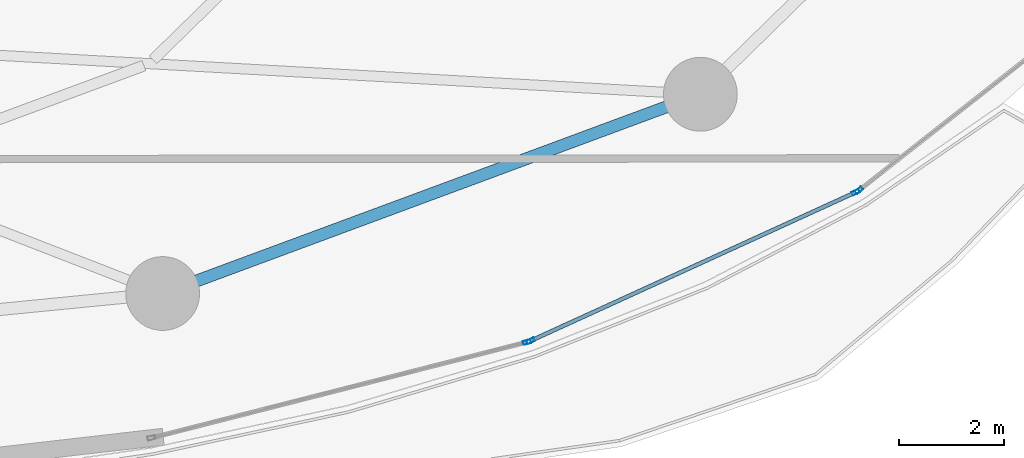
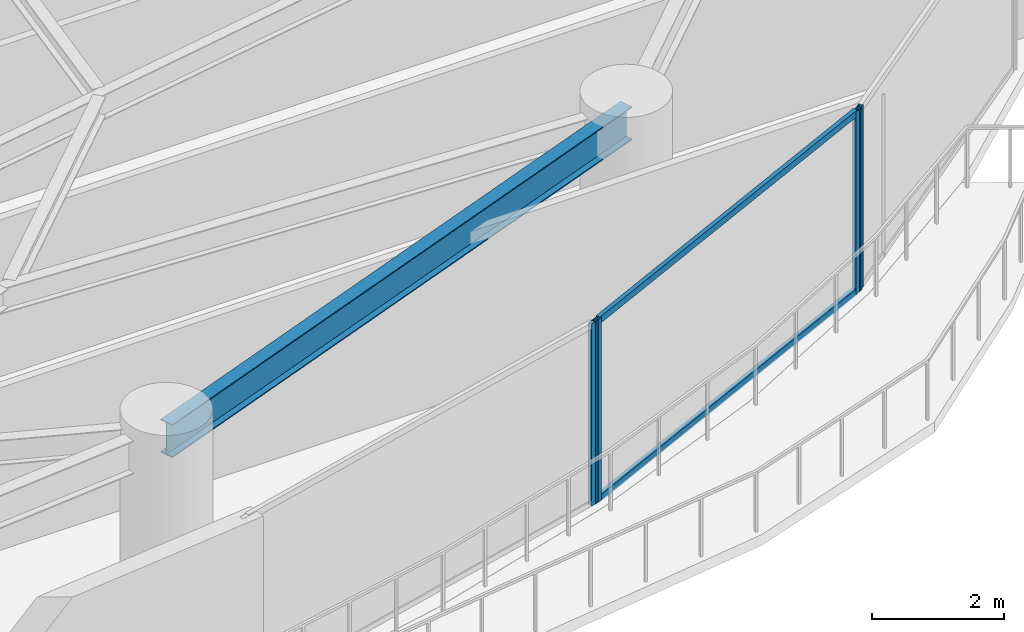
# One storey, part 13 of 33: 6 members, 1 beam, 3 elements without a shape of their own.
"""IFC4 building model written with IfcOpenShell, lengths in metres."""

from ifc_helpers import new_model, si_unit, direction, frame, origin, origin_2d, place, context, subcontext, project, spatial, hollow_rectangle, i_section, extrude, material, layer, layer_set, material_profile, profile_set, type_object, element, aggregate, save


model = new_model("IFC4")

# Units and contexts
model_context = context("Model", 3, precision=1e-05, world=origin(), true_north=direction((0.0, 1.0)))
body_context = subcontext(model_context, "Body", "Model", "MODEL_VIEW")
ifc_project = project(units=[si_unit("LENGTHUNIT", "METRE"), si_unit("AREAUNIT", "SQUARE_METRE"), si_unit("VOLUMEUNIT", "CUBIC_METRE"), si_unit("PLANEANGLEUNIT", "RADIAN"), si_unit("MASSUNIT", "GRAM", prefix="KILO")], contexts=[model_context])

# Site, building, storey
site_placement = place(None, origin())
site = spatial("IfcSite", under=ifc_project, at=site_placement, CompositionType="ELEMENT")
building_placement = place(site_placement, origin())
building = spatial("IfcBuilding", under=site, at=building_placement, Name="Kazevale Care Tower and Concert Hall", CompositionType="ELEMENT")
storey_placement = place(building_placement, frame((0.0, 0.0, 52.800048828125)))
storey = spatial("IfcBuildingStorey", under=building, at=storey_placement, Name="L13", CompositionType="ELEMENT", Elevation=52.800048828125)

# Curtain wall, member
ifc_material_1 = material(Name="Aluminium 6063-T6 and Low-E Glass", Category="aluminium")
ifc_layer = layer(ifc_material_1, 0.179931640625)
ifc_layer_set = layer_set([ifc_layer], Name="Aluminium 6063-T6 and Low-E Glass")
curtain_wall_type = type_object("IfcCurtainWallType", Name="Sheltered Concave Balcony Curtain Wall CW-5", PredefinedType="NOTDEFINED", material=ifc_layer_set)
curtain_wall_1_placement = place(storey_placement, origin())
curtain_wall_1 = element("IfcCurtainWall", 1, at=curtain_wall_1_placement, inside=storey, type_object=curtain_wall_type, Name="cw:L13:f02", PredefinedType="NOTDEFINED")
ifc_material_2 = material(Name="Aluminium 6063-T6", Category="aluminium")
ifc_material_profile_1 = material_profile(ifc_material_2, hollow_rectangle(XDim=0.074951171875, YDim=0.14990234375, WallThickness=0.00390625, at=origin_2d()), Name="ALU75x150x4")
ifc_profile_set_1 = profile_set([ifc_material_profile_1], Name="Aluminium 6063-T6")
member_type_1 = type_object("IfcMemberType", Name="CW-5 Mullion ALU75x150x4", PredefinedType="MULLION", material=ifc_profile_set_1)
member_1_placement = place(storey_placement, frame((70.25146484375, 20.490234375, 0.0), z_axis=(0.0, 0.0, 1.0), x_axis=(0.617807548814, -0.78632934107, 0.0)))
member_1 = element("IfcMember", 2, at=member_1_placement, type_object=member_type_1, Name="CW-5 mullion 2", PredefinedType="MULLION", context=body_context, shape_type="SweptSolid", body=[
    extrude(hollow_rectangle(XDim=0.074951171875, YDim=0.14990234375, WallThickness=0.00390625, at=origin_2d()), origin(), (0.0, 0.0, 1.0), 3.35986328125),
])
aggregate(curtain_wall_1, [member_1])

# Curtain wall, members
curtain_wall_2_placement = place(storey_placement, origin())
curtain_wall_2 = element("IfcCurtainWall", 3, at=curtain_wall_2_placement, inside=storey, type_object=curtain_wall_type, Name="cw:L13:f03", PredefinedType="NOTDEFINED")
member_2_placement = place(storey_placement, frame((70.18798828125, 20.451416015625, 0.0), z_axis=(0.0, 0.0, 1.0), x_axis=(0.415659767773, -0.909520179795, 0.0)))
member_2 = element("IfcMember", 4, at=member_2_placement, type_object=member_type_1, Name="CW-5 mullion 1", PredefinedType="MULLION", context=body_context, shape_type="SweptSolid", body=[
    extrude(hollow_rectangle(XDim=0.074951171875, YDim=0.14990234375, WallThickness=0.00390625, at=origin_2d()), origin(), (0.0, 0.0, 1.0), 3.35986328125),
])
member_3_placement = place(storey_placement, frame((64.022216796875, 17.633544921875, 0.0), z_axis=(0.0, 0.0, 1.0), x_axis=(0.415659767773, -0.909520179795, 0.0)))
member_3 = element("IfcMember", 5, at=member_3_placement, type_object=member_type_1, Name="CW-5 mullion 2", PredefinedType="MULLION", context=body_context, shape_type="SweptSolid", body=[
    extrude(hollow_rectangle(XDim=0.074951171875, YDim=0.14990234375, WallThickness=0.00390625, at=origin_2d()), origin(), (0.0, 0.0, 1.0), 3.35986328125),
])

# Curtain wall, member
curtain_wall_3_placement = place(storey_placement, origin())
curtain_wall_3 = element("IfcCurtainWall", 6, at=curtain_wall_3_placement, inside=storey, type_object=curtain_wall_type, Name="cw:L13:f04", PredefinedType="NOTDEFINED")
member_4_placement = place(storey_placement, frame((63.95166015625, 17.608642578125, 0.0), z_axis=(0.0, 0.0, 1.0), x_axis=(0.247221864936, -0.968958899798, 0.0)))
member_4 = element("IfcMember", 7, at=member_4_placement, type_object=member_type_1, Name="CW-5 mullion 1", PredefinedType="MULLION", context=body_context, shape_type="SweptSolid", body=[
    extrude(hollow_rectangle(XDim=0.074951171875, YDim=0.14990234375, WallThickness=0.00390625, at=origin_2d()), origin(), (0.0, 0.0, 1.0), 3.35986328125),
])
aggregate(curtain_wall_3, [member_4])

# Member
ifc_material_profile_2 = material_profile(ifc_material_2, hollow_rectangle(XDim=0.074951171875, YDim=0.1201171875, WallThickness=0.00390625, at=origin_2d()), Name="ALU75x120x4")
ifc_profile_set_2 = profile_set([ifc_material_profile_2], Name="Aluminium 6063-T6")
member_type_2 = type_object("IfcMemberType", Name="CW-5 Transom ALU75x120x4", PredefinedType="USERDEFINED", material=ifc_profile_set_2)
member_5_placement = place(storey_placement, frame((70.15380859375, 20.435791015625, 0.037353515625), z_axis=(-0.909524040017, -0.415651320978, 0.0), x_axis=(0.415651320978, -0.909524040017, 0.0)))
member_5 = element("IfcMember", 8, at=member_5_placement, type_object=member_type_2, Name="CW-5 transom 1.1", ObjectType="TRANSOM", PredefinedType="USERDEFINED", context=body_context, shape_type="SweptSolid", body=[
    extrude(hollow_rectangle(XDim=0.074951171875, YDim=0.1201171875, WallThickness=0.00390625, at=origin_2d()), origin(), (0.0, 0.0, 1.0), 6.704345703125),
])

member_6_placement = place(storey_placement, frame((70.15380859375, 20.435791015625, 3.322509765625), z_axis=(-0.909524040017, -0.415651320978, 0.0), x_axis=(0.415651320978, -0.909524040017, 0.0)))
member_6 = element("IfcMember", 9, at=member_6_placement, type_object=member_type_2, Name="CW-5 transom 1.2", ObjectType="TRANSOM", PredefinedType="USERDEFINED", context=body_context, shape_type="SweptSolid", body=[
    extrude(hollow_rectangle(XDim=0.074951171875, YDim=0.1201171875, WallThickness=0.00390625, at=origin_2d()), origin(), (0.0, 0.0, 1.0), 6.704345703125),
])

aggregate(curtain_wall_2, [member_2, member_3, member_5, member_6])

# Beam
ifc_material_3 = material(Name="Steel ASTM A572 Gr 50", Category="steel")
ifc_material_profile_3 = material_profile(ifc_material_3, i_section(OverallWidth=0.22900390625, OverallDepth=0.612060546875, WebThickness=0.011962890625, FlangeThickness=0.01953125, at=origin_2d()), Name="W610x125")
ifc_profile_set_3 = profile_set([ifc_material_profile_3], Name="Steel ASTM A572 Gr 50")
beam_type = type_object("IfcBeamType", Name="Ring Spandrel Beam W610x125", PredefinedType="SPANDREL", material=ifc_profile_set_3)
beam_placement = place(storey_placement, frame((57.0400390625, 18.530029296875, 3.053955078125), z_axis=(0.937680788596, 0.347497825458, 0.0), x_axis=(-0.347497825458, 0.937680788596, 0.0)))
element("IfcBeam", 10, at=beam_placement, inside=storey, type_object=beam_type, Name="beam:L13:ring:14", PredefinedType="SPANDREL", context=body_context, shape_type="SweptSolid", body=[
    extrude(i_section(OverallWidth=0.22900390625, OverallDepth=0.612060546875, WebThickness=0.011962890625, FlangeThickness=0.01953125, at=origin_2d()), origin(), (0.0, 0.0, 1.0), 10.8779296875),
])

save(model, "model.ifc")
